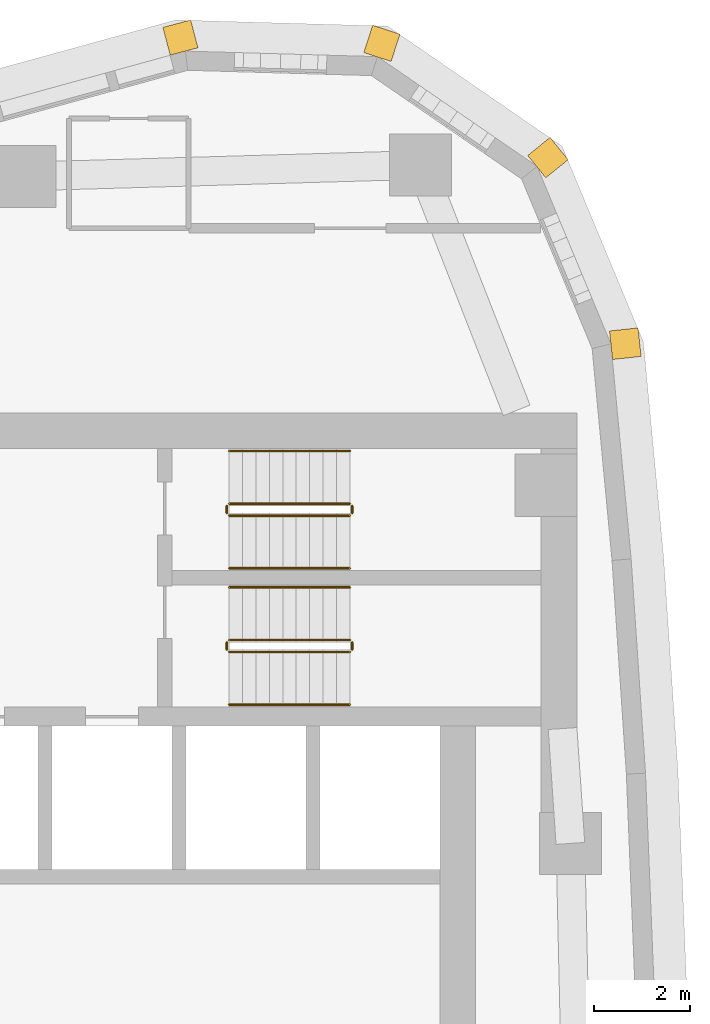
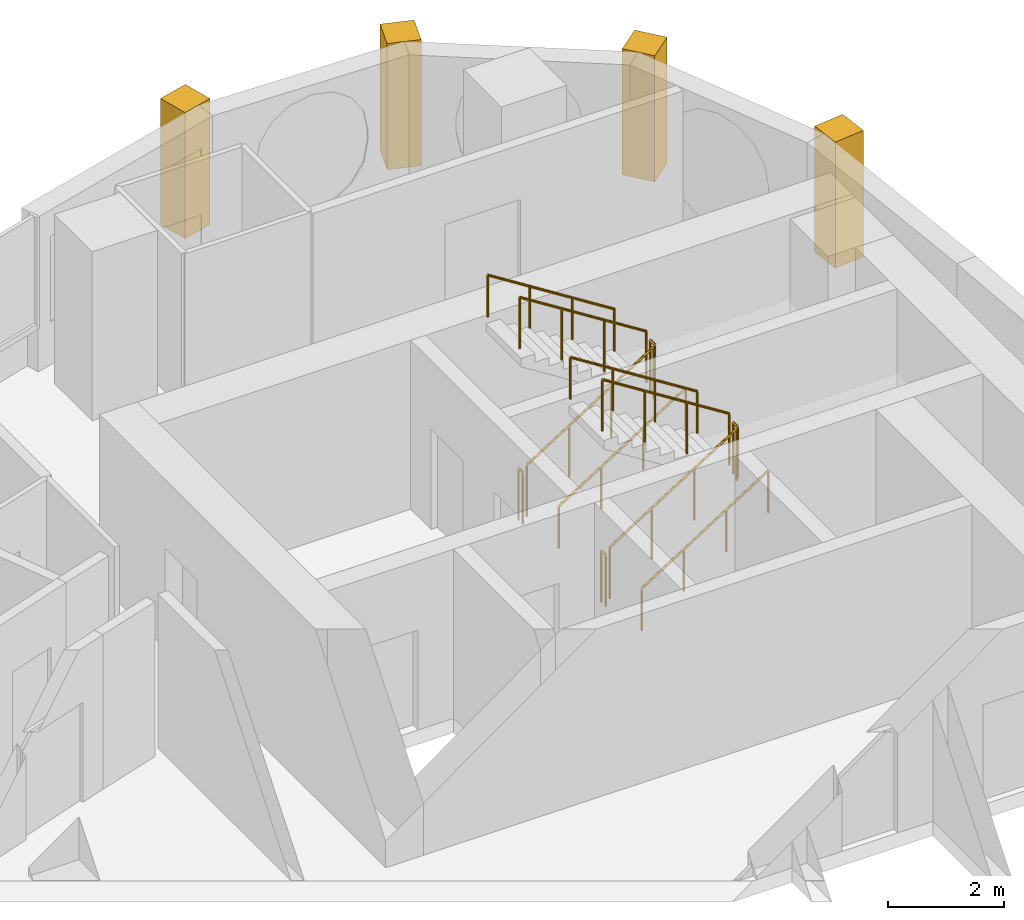
# One storey, part 17 of 17: 12 railings, 4 coverings.
"""IFC4 building model written with IfcOpenShell, lengths in metres."""

import ifcopenshell
import ifcopenshell.guid

model = None  # the IFC model being written
_history = None  # IfcOwnerHistory: only IFC2X3 demands one
_inside = {}  # id of a spatial element -> (the spatial element, [elements in it])
_under = {}  # id of a project, library or spatial element -> (it, [spatial elements below it])
_declared = {}  # id of a project -> (the project, [libraries it declares])
_typed = {}  # id of a type object -> (the type object, [elements of that type])
_made_of = {}  # id of a material, layer set ... -> (it, [elements and type objects made of it])


def new_model(schema):
    """Start an empty IFC model of exactly this schema.

    Asked for "IFC4X3", IfcOpenShell would pick the latest addendum, in which some entities
    have other attributes; the version numbers below select the first issue.
    IFC2X3 requires an IfcOwnerHistory on every rooted entity: one is made here for all.
    """
    global model, _history
    if schema == "IFC4X3":
        model = ifcopenshell.file(schema_version=(4, 3, 0, 0))
    else:
        model = ifcopenshell.file(schema=schema)
    _inside.clear()
    _under.clear()
    _declared.clear()
    _typed.clear()
    _made_of.clear()
    _history = None
    if model.schema == "IFC2X3":
        org = make("IfcOrganization", Name="unknown")
        user = make(
            "IfcPersonAndOrganization",
            ThePerson=make("IfcPerson", FamilyName="unknown"),
            TheOrganization=org,
        )
        app = make(
            "IfcApplication",
            ApplicationDeveloper=org,
            Version="unknown",
            ApplicationFullName="unknown",
            ApplicationIdentifier="unknown",
        )
        _history = make(
            "IfcOwnerHistory",
            OwningUser=user,
            OwningApplication=app,
            ChangeAction="ADDED",
            CreationDate=0,
        )
    return model


def make(cls, **values):
    """One entity of the class cls with the attributes given. An attribute that is None is left unset."""
    return model.create_entity(
        cls, **{name: value for name, value in values.items() if value is not None}
    )


def rooted(cls, **values):
    """An entity with a GlobalId (a new one), such as an element, a storey or a relation."""
    return make(cls, GlobalId=ifcopenshell.guid.new(), OwnerHistory=_history, **values)


def si_unit(unit_type, name, prefix=None):
    """IfcSIUnit, for example si_unit("LENGTHUNIT", "METRE", prefix="MILLI")."""
    return make("IfcSIUnit", UnitType=unit_type, Prefix=prefix, Name=name)


def assignment(units):
    """IfcUnitAssignment: the units of a project."""
    return None if units is None else make("IfcUnitAssignment", Units=units)


def point(xyz):
    """IfcCartesianPoint."""
    return None if xyz is None else make("IfcCartesianPoint", Coordinates=xyz)


def direction(xyz):
    """IfcDirection."""
    return None if xyz is None else make("IfcDirection", DirectionRatios=xyz)


def frame(location, z_axis=None, x_axis=None):
    """IfcAxis2Placement3D, a coordinate frame: its origin and axes. An axis left out is left unset."""
    return make(
        "IfcAxis2Placement3D",
        Location=point(location),
        Axis=direction(z_axis),
        RefDirection=direction(x_axis),
    )


def frame_2d(location, x_axis=None):
    """IfcAxis2Placement2D, a coordinate frame in the plane: its origin and x axis."""
    return make(
        "IfcAxis2Placement2D", Location=point(location), RefDirection=direction(x_axis)
    )


def origin():
    """The frame at (0, 0, 0) with its axes left unset."""
    return frame((0.0, 0.0, 0.0))


def origin_2d():
    """The frame at (0, 0) in the plane with its x axis left unset."""
    return frame_2d((0.0, 0.0))


def place(relative_to, where):
    """IfcLocalPlacement: puts the frame where relative to a parent placement (None: the world)."""
    return make(
        "IfcLocalPlacement", PlacementRelTo=relative_to, RelativePlacement=where
    )


def context(
    kind, dimensions, precision=None, world=None, true_north=None, identifier=None
):
    """IfcGeometricRepresentationContext, for example the 3D "Model" context."""
    return make(
        "IfcGeometricRepresentationContext",
        ContextIdentifier=identifier,
        ContextType=kind,
        CoordinateSpaceDimension=dimensions,
        Precision=precision,
        WorldCoordinateSystem=world,
        TrueNorth=true_north,
    )


def subcontext(parent, identifier, kind, view, scale=None):
    """IfcGeometricRepresentationSubContext, for example "Body" below "Model"."""
    return make(
        "IfcGeometricRepresentationSubContext",
        ContextIdentifier=identifier,
        ContextType=kind,
        ParentContext=parent,
        TargetScale=scale,
        TargetView=view,
    )


def project(units=None, contexts=None):
    """IfcProject with its units and contexts."""
    return rooted(
        "IfcProject",
        Name="project",
        RepresentationContexts=contexts,
        UnitsInContext=assignment(units),
    )


def spatial(cls, under=None, at=None, **own):
    """A site, building, storey or space (cls), placed at a placement, below another one or the project."""
    s = rooted(cls, ObjectPlacement=at, **own)
    if under is not None:
        _under.setdefault(under.id(), (under, []))[1].append(s)
    return s


def profile(cls, at=None, kind="AREA", **sizes):
    """A parametric profile (cls). Its sizes go by their IFC names, for example OverallWidth=200.0."""
    return make(cls, ProfileType=kind, Position=at, **sizes)


def rectangle(**sizes):
    """IfcRectangleProfileDef."""
    return profile("IfcRectangleProfileDef", **sizes)


def circle(**sizes):
    """IfcCircleProfileDef."""
    return profile("IfcCircleProfileDef", **sizes)


def extrude(swept, where, along, depth):
    """IfcExtrudedAreaSolid: the profile swept, set in the frame where, extruded along a direction by depth."""
    return make(
        "IfcExtrudedAreaSolid",
        SweptArea=swept,
        Position=where,
        ExtrudedDirection=direction(along),
        Depth=depth,
    )


def shape(context_of_items, identifier, shape_type, items):
    """IfcShapeRepresentation: the items that make up one representation, for example the "Body"."""
    return make(
        "IfcShapeRepresentation",
        ContextOfItems=context_of_items,
        RepresentationIdentifier=identifier,
        RepresentationType=shape_type,
        Items=items,
    )


def material(Name=None, Category=None):
    """IfcMaterial."""
    return make("IfcMaterial", Name=Name, Category=Category)


def layer(
    of_material, thickness, ventilated=None, Name=None, Category=None, Priority=None
):
    """IfcMaterialLayer: one layer of a wall or slab, of a material (None: an air gap)."""
    return make(
        "IfcMaterialLayer",
        Material=of_material,
        LayerThickness=thickness,
        IsVentilated=ventilated,
        Name=Name,
        Category=Category,
        Priority=Priority,
    )


def layer_set(layers, Name=None):
    """IfcMaterialLayerSet."""
    return make("IfcMaterialLayerSet", MaterialLayers=layers, LayerSetName=Name)


def made_of(thing, what):
    """Note that an element or type object is made of a material, layer set ...; save() writes the relation."""
    if what is not None:
        _made_of.setdefault(what.id(), (what, []))[1].append(thing)
    return thing


def type_object(cls, material=None, **own):
    """A type object (cls), such as IfcWallType, which elements share."""
    return made_of(rooted(cls, **own), material)


def element(
    cls,
    number,
    at=None,
    inside=None,
    cuts=None,
    type_object=None,
    material=None,
    context=None,
    identifier="Body",
    shape_type=None,
    held_by="IfcProductDefinitionShape",
    body=None,
    shapes=None,
    **own,
):
    """One element of the class cls, such as IfcWall. Its Tag is "e" and its number.

    at: its placement. inside: the storey or other place that contains it. cuts: it is an
    opening in that element (IfcRelVoidsElement). A single representation is given by context,
    identifier, shape_type and body (its items); several are given by shapes. held_by: the class
    of the entity that holds the representations. save() writes the other relations.
    """
    e = rooted(cls, Tag="e%d" % number, ObjectPlacement=at, **own)
    if body is not None:
        shapes = [shape(context, identifier, shape_type, body)]
    if shapes is not None:
        e.Representation = make(held_by, Representations=shapes)
    if inside is not None:
        _inside.setdefault(inside.id(), (inside, []))[1].append(e)
    if cuts is not None:
        rooted(
            "IfcRelVoidsElement", RelatingBuildingElement=cuts, RelatedOpeningElement=e
        )
    if type_object is not None:
        _typed.setdefault(type_object.id(), (type_object, []))[1].append(e)
    return made_of(e, material)


def aggregate(whole, parts):
    """IfcRelAggregates: a whole, such as a stair, and the parts it consists of."""
    return rooted("IfcRelAggregates", RelatingObject=whole, RelatedObjects=parts)


def save(model, path):
    """Write the relations noted so far, then the file.

    IfcRelAggregates (storeys below a building ...), IfcRelContainedInSpatialStructure (elements
    in a storey), IfcRelDefinesByType, IfcRelAssociatesMaterial and IfcRelDeclares: one each for
    every whole, place, type object, material and project.
    """
    for whole, parts in _under.values():
        aggregate(whole, parts)
    for where, things in _inside.values():
        rooted(
            "IfcRelContainedInSpatialStructure",
            RelatedElements=things,
            RelatingStructure=where,
        )
    for kind, things in _typed.values():
        rooted("IfcRelDefinesByType", RelatedObjects=things, RelatingType=kind)
    for what, things in _made_of.values():
        rooted("IfcRelAssociatesMaterial", RelatedObjects=things, RelatingMaterial=what)
    for by, libraries in _declared.values():
        rooted("IfcRelDeclares", RelatingContext=by, RelatedDefinitions=libraries)
    model.write(path)


model = new_model("IFC4")

# Units and contexts
model_context = context("Model", 3, precision=1e-05, world=origin(), true_north=direction((0.0, 1.0)))
body_context = subcontext(model_context, "Body", "Model", "MODEL_VIEW")
ifc_project = project(units=[si_unit("LENGTHUNIT", "METRE"), si_unit("AREAUNIT", "SQUARE_METRE"), si_unit("VOLUMEUNIT", "CUBIC_METRE"), si_unit("PLANEANGLEUNIT", "RADIAN"), si_unit("MASSUNIT", "GRAM", prefix="KILO")], contexts=[model_context])

# Site, building, storey
site_placement = place(None, origin())
site = spatial("IfcSite", under=ifc_project, at=site_placement, CompositionType="ELEMENT")
building_placement = place(site_placement, origin())
building = spatial("IfcBuilding", under=site, at=building_placement, Name="Ostrand Prow Hotel Tower", CompositionType="ELEMENT")
storey_placement = place(building_placement, frame((0.0, 0.0, 175.5)))
storey = spatial("IfcBuildingStorey", under=building, at=storey_placement, Name="L43", CompositionType="ELEMENT", Elevation=175.5)

# Coverings
ifc_material_1 = material(Name="Limestone cladding", Category="masonry")
ifc_layer = layer(ifc_material_1, 0.60009765625)
ifc_layer_set = layer_set([ifc_layer], Name="Limestone cladding")
covering_type = type_object("IfcCoveringType", Name="Precast stone prow rib 600x600", PredefinedType="CLADDING", material=ifc_layer_set)
for number, where, z_axis, x_axis, name in (
    (1, (65.18017578125, 17.9111328125, 0.60009765625), (0.0, 0.0, 1.0), (0.994255138911, 0.107036062846, 0.0), "Stone corner rib 13a"),
    (2, (63.6279296875, 21.643798828125, 0.60009765625), (0.0, 0.0, 1.0), (0.776922530767, 0.62959620487, 0.0), "Stone corner rib 14a"),
    (3, (60.297607421875, 23.935302734375, 0.60009765625), (0.0, 0.0, 1.0), (0.310484329644, 0.950578498098, 0.0), "Stone corner rib 15a"),
    (4, (56.256591796875, 24.05126953125, 0.60009765625), (0.0, 0.0, 1.0), (-0.255154261231, 0.966900358349, 0.0), "Stone corner rib 15b"),
):
    element("IfcCovering", number, at=place(storey_placement, frame(where, z_axis=z_axis, x_axis=x_axis)), inside=storey, type_object=covering_type, Name=name, PredefinedType="CLADDING", context=body_context, shape_type="SweptSolid", body=[
        extrude(rectangle(XDim=0.599853515625, YDim=0.60009765625, at=frame_2d((0.2998046875, 0.0))), origin(), (0.0, 0.0, 1.0), 2.64990234375),
    ])

# Railings
ifc_material_2 = material(Name="Painted steel", Category="steel")
railing_type_1 = type_object("IfcRailingType", Name="Stair guard 1100", PredefinedType="GUARDRAIL", material=ifc_material_2)
railing_1_placement = place(storey_placement, frame((57.199951171875, 11.5, 0.177490234375)))
element("IfcRailing", 5, at=railing_1_placement, inside=storey, type_object=railing_type_1, Name="L43 ST1C stair guard 1", PredefinedType="GUARDRAIL", context=body_context, shape_type="SweptSolid", body=[
    extrude(circle(Radius=0.02392578125, at=origin_2d()), frame((0.0, 0.0, 1.076171875), z_axis=(0.84460694969, 0.0, 0.535386869969), x_axis=(0.0, 1.0, 0.0)), (0.0, 0.0, 1.0), 2.983642578125),
    extrude(circle(Radius=0.02099609375, at=origin_2d()), origin(), (0.0, 0.0, 1.0), 1.052001953125),
    extrude(circle(Radius=0.02099609375, at=origin_2d()), frame((0.840087890625, 0.0, 0.532470703125)), (0.0, 0.0, 1.0), 1.052001953125),
    extrude(circle(Radius=0.02099609375, at=origin_2d()), frame((1.679931640625, 0.0, 1.06494140625)), (0.0, 0.0, 1.0), 1.052001953125),
    extrude(circle(Radius=0.02099609375, at=origin_2d()), frame((2.52001953125, 0.0, 1.597412109375)), (0.0, 0.0, 1.0), 1.052001953125),
])
railing_2_placement = place(storey_placement, frame((59.77001953125, 11.550048828125, 1.77490234375)))
element("IfcRailing", 6, at=railing_2_placement, inside=storey, type_object=railing_type_1, Name="L43 ST1C stair guard 2", PredefinedType="GUARDRAIL", context=body_context, shape_type="SweptSolid", body=[
    extrude(circle(Radius=0.02392578125, at=origin_2d()), frame((0.0, 0.0, 1.076171875), z_axis=(0.0, 1.0, 0.0), x_axis=(-1.0, 0.0, 0.0)), (0.0, 0.0, 1.0), 0.14990234375),
    extrude(circle(Radius=0.02099609375, at=origin_2d()), origin(), (0.0, 0.0, 1.0), 1.052001953125),
    extrude(circle(Radius=0.02099609375, at=origin_2d()), frame((0.0, 0.14990234375, 0.0)), (0.0, 0.0, 1.0), 1.052001953125),
])
railing_3_placement = place(storey_placement, frame((59.719970703125, 11.75, 1.952392578125)))
element("IfcRailing", 7, at=railing_3_placement, inside=storey, type_object=railing_type_1, Name="L43 ST1C stair guard 3", PredefinedType="GUARDRAIL", context=body_context, shape_type="SweptSolid", body=[
    extrude(circle(Radius=0.02392578125, at=origin_2d()), frame((0.0, 0.0, 1.076171875), z_axis=(-0.84456994832, 0.0, 0.535445237532), x_axis=(0.0, -1.0, 0.0)), (0.0, 0.0, 1.0), 2.98388671875),
    extrude(circle(Radius=0.02099609375, at=origin_2d()), origin(), (0.0, 0.0, 1.0), 1.052001953125),
    extrude(circle(Radius=0.02099609375, at=origin_2d()), frame((-0.840087890625, 0.0, 0.532470703125)), (0.0, 0.0, 1.0), 1.052001953125),
    extrude(circle(Radius=0.02099609375, at=origin_2d()), frame((-1.679931640625, 0.0, 1.065185546875)), (0.0, 0.0, 1.0), 1.052001953125),
    extrude(circle(Radius=0.02099609375, at=origin_2d()), frame((-2.52001953125, 0.0, 1.59765625)), (0.0, 0.0, 1.0), 1.052001953125),
])
railing_4_placement = place(storey_placement, frame((57.14990234375, 11.550048828125, 0.0)))
element("IfcRailing", 8, at=railing_4_placement, inside=storey, type_object=railing_type_1, Name="L43 ST1C stair guard 4", PredefinedType="GUARDRAIL", context=body_context, shape_type="SweptSolid", body=[
    extrude(circle(Radius=0.02392578125, at=origin_2d()), frame((0.0, 0.0, 1.076171875), z_axis=(0.0, 1.0, 0.0), x_axis=(-1.0, 0.0, 0.0)), (0.0, 0.0, 1.0), 0.14990234375),
    extrude(circle(Radius=0.02099609375, at=origin_2d()), origin(), (0.0, 0.0, 1.0), 1.052001953125),
    extrude(circle(Radius=0.02099609375, at=origin_2d()), frame((0.0, 0.14990234375, 0.0)), (0.0, 0.0, 1.0), 1.052001953125),
])
railing_5_placement = place(storey_placement, frame((57.199951171875, 14.35009765625, 0.177490234375)))
element("IfcRailing", 9, at=railing_5_placement, inside=storey, type_object=railing_type_1, Name="L43 ST3C stair guard 1", PredefinedType="GUARDRAIL", context=body_context, shape_type="SweptSolid", body=[
    extrude(circle(Radius=0.02392578125, at=origin_2d()), frame((0.0, 0.0, 1.076171875), z_axis=(0.84460694969, 0.0, 0.535386869969), x_axis=(0.0, 1.0, 0.0)), (0.0, 0.0, 1.0), 2.983642578125),
    extrude(circle(Radius=0.02099609375, at=origin_2d()), origin(), (0.0, 0.0, 1.0), 1.052001953125),
    extrude(circle(Radius=0.02099609375, at=origin_2d()), frame((0.840087890625, 0.0, 0.532470703125)), (0.0, 0.0, 1.0), 1.052001953125),
    extrude(circle(Radius=0.02099609375, at=origin_2d()), frame((1.679931640625, 0.0, 1.06494140625)), (0.0, 0.0, 1.0), 1.052001953125),
    extrude(circle(Radius=0.02099609375, at=origin_2d()), frame((2.52001953125, 0.0, 1.597412109375)), (0.0, 0.0, 1.0), 1.052001953125),
])
railing_6_placement = place(storey_placement, frame((59.77001953125, 14.39990234375, 1.77490234375)))
element("IfcRailing", 10, at=railing_6_placement, inside=storey, type_object=railing_type_1, Name="L43 ST3C stair guard 2", PredefinedType="GUARDRAIL", context=body_context, shape_type="SweptSolid", body=[
    extrude(circle(Radius=0.02392578125, at=origin_2d()), frame((0.0, 0.0, 1.076171875), z_axis=(0.0, 1.0, 0.0), x_axis=(-1.0, 0.0, 0.0)), (0.0, 0.0, 1.0), 0.150146484375),
    extrude(circle(Radius=0.02099609375, at=origin_2d()), origin(), (0.0, 0.0, 1.0), 1.052001953125),
    extrude(circle(Radius=0.02099609375, at=origin_2d()), frame((0.0, 0.150146484375, 0.0)), (0.0, 0.0, 1.0), 1.052001953125),
])
railing_7_placement = place(storey_placement, frame((59.719970703125, 14.60009765625, 1.952392578125)))
element("IfcRailing", 11, at=railing_7_placement, inside=storey, type_object=railing_type_1, Name="L43 ST3C stair guard 3", PredefinedType="GUARDRAIL", context=body_context, shape_type="SweptSolid", body=[
    extrude(circle(Radius=0.02392578125, at=origin_2d()), frame((0.0, 0.0, 1.076171875), z_axis=(-0.84456994832, 0.0, 0.535445237532), x_axis=(0.0, -1.0, 0.0)), (0.0, 0.0, 1.0), 2.98388671875),
    extrude(circle(Radius=0.02099609375, at=origin_2d()), origin(), (0.0, 0.0, 1.0), 1.052001953125),
    extrude(circle(Radius=0.02099609375, at=origin_2d()), frame((-0.840087890625, 0.0, 0.532470703125)), (0.0, 0.0, 1.0), 1.052001953125),
    extrude(circle(Radius=0.02099609375, at=origin_2d()), frame((-1.679931640625, 0.0, 1.065185546875)), (0.0, 0.0, 1.0), 1.052001953125),
    extrude(circle(Radius=0.02099609375, at=origin_2d()), frame((-2.52001953125, 0.0, 1.59765625)), (0.0, 0.0, 1.0), 1.052001953125),
])
railing_8_placement = place(storey_placement, frame((57.14990234375, 14.39990234375, 0.0)))
element("IfcRailing", 12, at=railing_8_placement, inside=storey, type_object=railing_type_1, Name="L43 ST3C stair guard 4", PredefinedType="GUARDRAIL", context=body_context, shape_type="SweptSolid", body=[
    extrude(circle(Radius=0.02392578125, at=origin_2d()), frame((0.0, 0.0, 1.076171875), z_axis=(0.0, 1.0, 0.0), x_axis=(-1.0, 0.0, 0.0)), (0.0, 0.0, 1.0), 0.150146484375),
    extrude(circle(Radius=0.02099609375, at=origin_2d()), origin(), (0.0, 0.0, 1.0), 1.052001953125),
    extrude(circle(Radius=0.02099609375, at=origin_2d()), frame((0.0, 0.150146484375, 0.0)), (0.0, 0.0, 1.0), 1.052001953125),
])
ifc_material_3 = material(Name="Stainless steel", Category="steel")
railing_type_2 = type_object("IfcRailingType", Name="Stair handrail 900", PredefinedType="HANDRAIL", material=ifc_material_3)
railing_9_placement = place(storey_placement, frame((57.199951171875, 10.39990234375, 0.177490234375)))
element("IfcRailing", 13, at=railing_9_placement, inside=storey, type_object=railing_type_2, Name="L43 ST1C stair handrail 1", PredefinedType="HANDRAIL", context=body_context, shape_type="SweptSolid", body=[
    extrude(circle(Radius=0.02392578125, at=origin_2d()), frame((0.0, 0.0, 0.8759765625), z_axis=(0.84460694969, 0.0, 0.535386869969), x_axis=(0.0, 1.0, 0.0)), (0.0, 0.0, 1.0), 2.983642578125),
    extrude(circle(Radius=0.02099609375, at=origin_2d()), origin(), (0.0, 0.0, 1.0), 0.851806640625),
    extrude(circle(Radius=0.02099609375, at=origin_2d()), frame((0.840087890625, 0.0, 0.532470703125)), (0.0, 0.0, 1.0), 0.851806640625),
    extrude(circle(Radius=0.02099609375, at=origin_2d()), frame((1.679931640625, 0.0, 1.06494140625)), (0.0, 0.0, 1.0), 0.851806640625),
    extrude(circle(Radius=0.02099609375, at=origin_2d()), frame((2.52001953125, 0.0, 1.597412109375)), (0.0, 0.0, 1.0), 0.851806640625),
])
railing_10_placement = place(storey_placement, frame((59.719970703125, 12.85009765625, 1.952392578125)))
element("IfcRailing", 14, at=railing_10_placement, inside=storey, type_object=railing_type_2, Name="L43 ST1C stair handrail 2", PredefinedType="HANDRAIL", context=body_context, shape_type="SweptSolid", body=[
    extrude(circle(Radius=0.02392578125, at=origin_2d()), frame((0.0, 0.0, 0.8759765625), z_axis=(-0.84456994832, 0.0, 0.535445237532), x_axis=(0.0, -1.0, 0.0)), (0.0, 0.0, 1.0), 2.98388671875),
    extrude(circle(Radius=0.02099609375, at=origin_2d()), origin(), (0.0, 0.0, 1.0), 0.851806640625),
    extrude(circle(Radius=0.02099609375, at=origin_2d()), frame((-0.840087890625, 0.0, 0.532470703125)), (0.0, 0.0, 1.0), 0.851806640625),
    extrude(circle(Radius=0.02099609375, at=origin_2d()), frame((-1.679931640625, 0.0, 1.065185546875)), (0.0, 0.0, 1.0), 0.851806640625),
    extrude(circle(Radius=0.02099609375, at=origin_2d()), frame((-2.52001953125, 0.0, 1.59765625)), (0.0, 0.0, 1.0), 0.851806640625),
])
railing_11_placement = place(storey_placement, frame((57.199951171875, 13.25, 0.177490234375)))
element("IfcRailing", 15, at=railing_11_placement, inside=storey, type_object=railing_type_2, Name="L43 ST3C stair handrail 1", PredefinedType="HANDRAIL", context=body_context, shape_type="SweptSolid", body=[
    extrude(circle(Radius=0.02392578125, at=origin_2d()), frame((0.0, 0.0, 0.8759765625), z_axis=(0.84460694969, 0.0, 0.535386869969), x_axis=(0.0, 1.0, 0.0)), (0.0, 0.0, 1.0), 2.983642578125),
    extrude(circle(Radius=0.02099609375, at=origin_2d()), origin(), (0.0, 0.0, 1.0), 0.851806640625),
    extrude(circle(Radius=0.02099609375, at=origin_2d()), frame((0.840087890625, 0.0, 0.532470703125)), (0.0, 0.0, 1.0), 0.851806640625),
    extrude(circle(Radius=0.02099609375, at=origin_2d()), frame((1.679931640625, 0.0, 1.06494140625)), (0.0, 0.0, 1.0), 0.851806640625),
    extrude(circle(Radius=0.02099609375, at=origin_2d()), frame((2.52001953125, 0.0, 1.597412109375)), (0.0, 0.0, 1.0), 0.851806640625),
])
railing_12_placement = place(storey_placement, frame((59.719970703125, 15.699951171875, 1.952392578125)))
element("IfcRailing", 16, at=railing_12_placement, inside=storey, type_object=railing_type_2, Name="L43 ST3C stair handrail 2", PredefinedType="HANDRAIL", context=body_context, shape_type="SweptSolid", body=[
    extrude(circle(Radius=0.02392578125, at=origin_2d()), frame((0.0, 0.0, 0.8759765625), z_axis=(-0.84456994832, 0.0, 0.535445237532), x_axis=(0.0, -1.0, 0.0)), (0.0, 0.0, 1.0), 2.98388671875),
    extrude(circle(Radius=0.02099609375, at=origin_2d()), origin(), (0.0, 0.0, 1.0), 0.851806640625),
    extrude(circle(Radius=0.02099609375, at=origin_2d()), frame((-0.840087890625, 0.0, 0.532470703125)), (0.0, 0.0, 1.0), 0.851806640625),
    extrude(circle(Radius=0.02099609375, at=origin_2d()), frame((-1.679931640625, 0.0, 1.065185546875)), (0.0, 0.0, 1.0), 0.851806640625),
    extrude(circle(Radius=0.02099609375, at=origin_2d()), frame((-2.52001953125, 0.0, 1.59765625)), (0.0, 0.0, 1.0), 0.851806640625),
])

save(model, "model.ifc")
